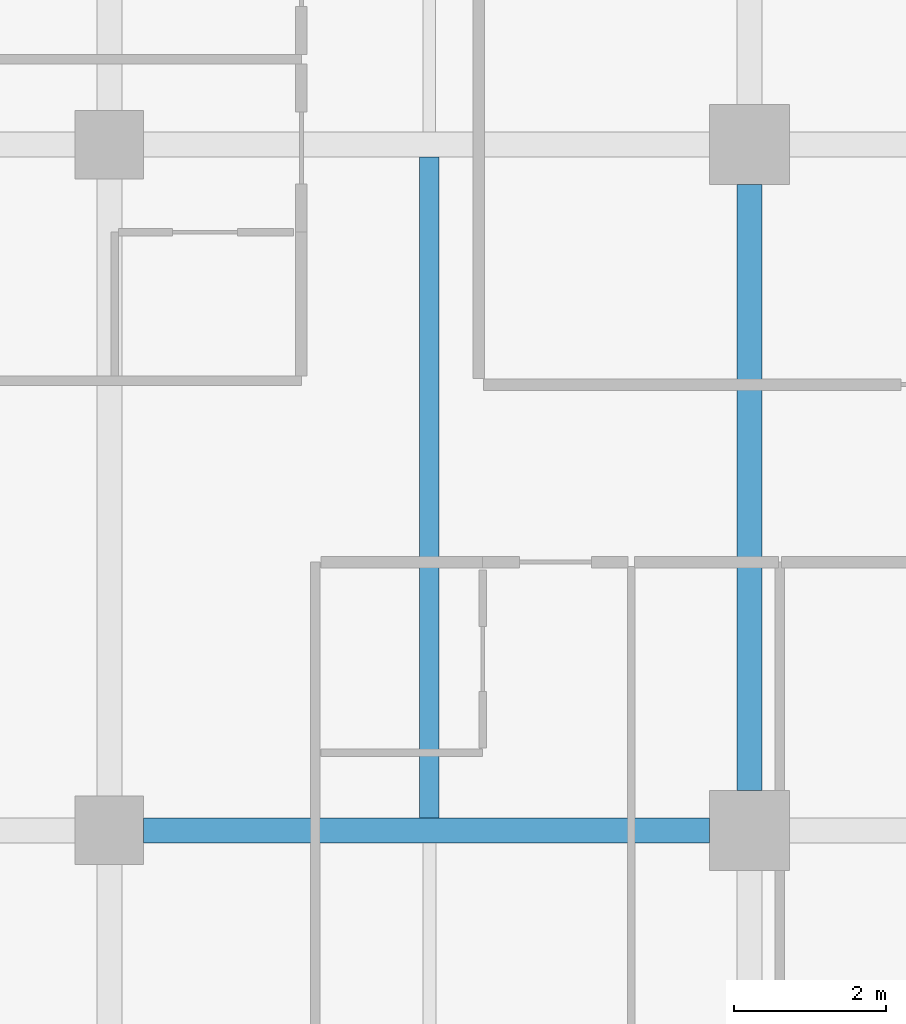
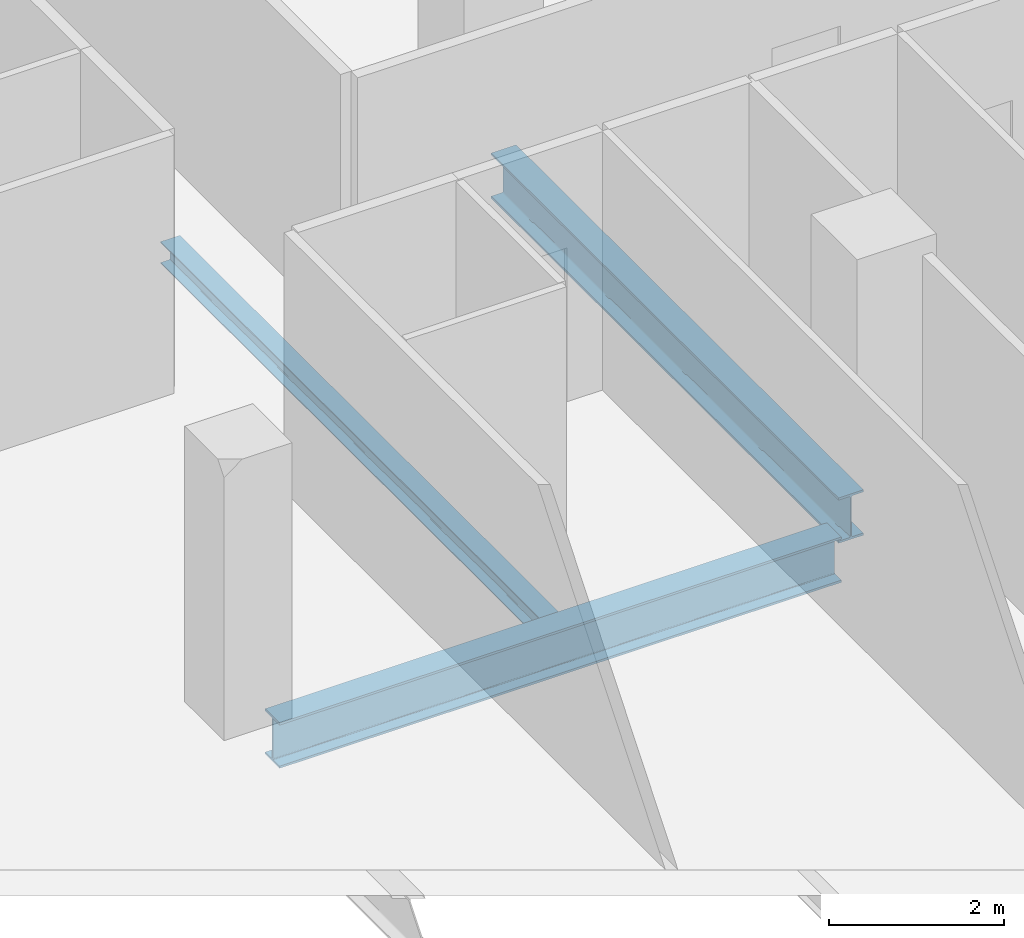
# One storey, part 6 of 40: 3 beams.
"""IFC4 building model written with IfcOpenShell, lengths in metres."""

from ifc_helpers import new_model, si_unit, direction, frame, origin, origin_2d, place, context, subcontext, project, spatial, i_section, extrude, material, material_profile, profile_set, type_object, element, save


model = new_model("IFC4")

# Units and contexts
model_context = context("Model", 3, precision=1e-05, world=origin(), true_north=direction((0.0, 1.0)))
body_context = subcontext(model_context, "Body", "Model", "MODEL_VIEW")
ifc_project = project(units=[si_unit("LENGTHUNIT", "METRE"), si_unit("AREAUNIT", "SQUARE_METRE"), si_unit("VOLUMEUNIT", "CUBIC_METRE"), si_unit("PLANEANGLEUNIT", "RADIAN"), si_unit("MASSUNIT", "GRAM", prefix="KILO")], contexts=[model_context])

# Site, building, storey
site_placement = place(None, origin())
site = spatial("IfcSite", under=ifc_project, at=site_placement, CompositionType="ELEMENT")
building_placement = place(site_placement, origin())
building = spatial("IfcBuilding", under=site, at=building_placement, Name="Maruvema Waterfront Hotel and Observation Tower", CompositionType="ELEMENT")
storey_placement = place(building_placement, frame((0.0, 0.0, 34.64990234375)))
storey = spatial("IfcBuildingStorey", under=building, at=storey_placement, Name="L07", CompositionType="ELEMENT", Elevation=34.64990234375)

# Beams
ifc_material_1 = material(Name="Steel ASTM A572 Grade 50", Category="steel")
ifc_material_profile_1 = material_profile(ifc_material_1, i_section(OverallWidth=0.3291015625, OverallDepth=0.635009765625, WebThickness=0.017822265625, FlangeThickness=0.031005859375, FilletRadius=0.01806640625, at=origin_2d()), Name="W610x241.0")
ifc_profile_set_1 = profile_set([ifc_material_profile_1], Name="Steel ASTM A572 Grade 50")
beam_type_1 = type_object("IfcBeamType", Name="Primary Floor Girder W610x241.0", PredefinedType="BEAM", material=ifc_profile_set_1)
beam_1_placement = place(storey_placement, frame((17.25, 9.0, -0.557373046875), z_axis=(1.0, 0.0, 0.0), x_axis=(0.0, 1.0, 0.0)))
element("IfcBeam", 1, at=beam_1_placement, inside=storey, type_object=beam_type_1, Name="L07 Floor Girder EW-07", PredefinedType="BEAM", context=body_context, shape_type="SweptSolid", body=[
    extrude(i_section(OverallWidth=0.3291015625, OverallDepth=0.635009765625, WebThickness=0.017822265625, FlangeThickness=0.031005859375, FilletRadius=0.01806640625, at=origin_2d()), origin(), (0.0, 0.0, 1.0), 7.425048828125),
])
beam_2_placement = place(storey_placement, frame((25.199951171875, 9.52490234375, -0.557373046875), z_axis=(0.0, 1.0, 0.0), x_axis=(-1.0, 0.0, 0.0)))
element("IfcBeam", 2, at=beam_2_placement, inside=storey, type_object=beam_type_1, Name="L07 Floor Girder NS-12", PredefinedType="BEAM", context=body_context, shape_type="SweptSolid", body=[
    extrude(i_section(OverallWidth=0.3291015625, OverallDepth=0.635009765625, WebThickness=0.017822265625, FlangeThickness=0.031005859375, FilletRadius=0.01806640625, at=origin_2d()), origin(), (0.0, 0.0, 1.0), 7.9501953125),
])
ifc_material_2 = material(Name="Steel ASTM A572 Grade 50", Category="steel")
ifc_material_profile_2 = material_profile(ifc_material_2, i_section(OverallWidth=0.25390625, OverallDepth=0.305908203125, WebThickness=0.0087890625, FlangeThickness=0.0146484375, FilletRadius=0.014892578125, at=origin_2d()), Name="W310x79.0")
ifc_profile_set_2 = profile_set([ifc_material_profile_2], Name="Steel ASTM A572 Grade 50")
beam_type_2 = type_object("IfcBeamType", Name="Secondary Floor Joist W310x79.0", PredefinedType="JOIST", material=ifc_profile_set_2)
beam_3_placement = place(storey_placement, frame((21.0, 9.16455078125, -0.392822265625), z_axis=(0.0, 1.0, 0.0), x_axis=(-1.0, 0.0, 0.0)))
element("IfcBeam", 3, at=beam_3_placement, inside=storey, type_object=beam_type_2, Name="L07 Secondary Floor Joist JS-06", PredefinedType="JOIST", context=body_context, shape_type="SweptSolid", body=[
    extrude(i_section(OverallWidth=0.25390625, OverallDepth=0.305908203125, WebThickness=0.0087890625, FlangeThickness=0.0146484375, FilletRadius=0.014892578125, at=origin_2d()), origin(), (0.0, 0.0, 1.0), 8.6708984375),
])

save(model, "model.ifc")
